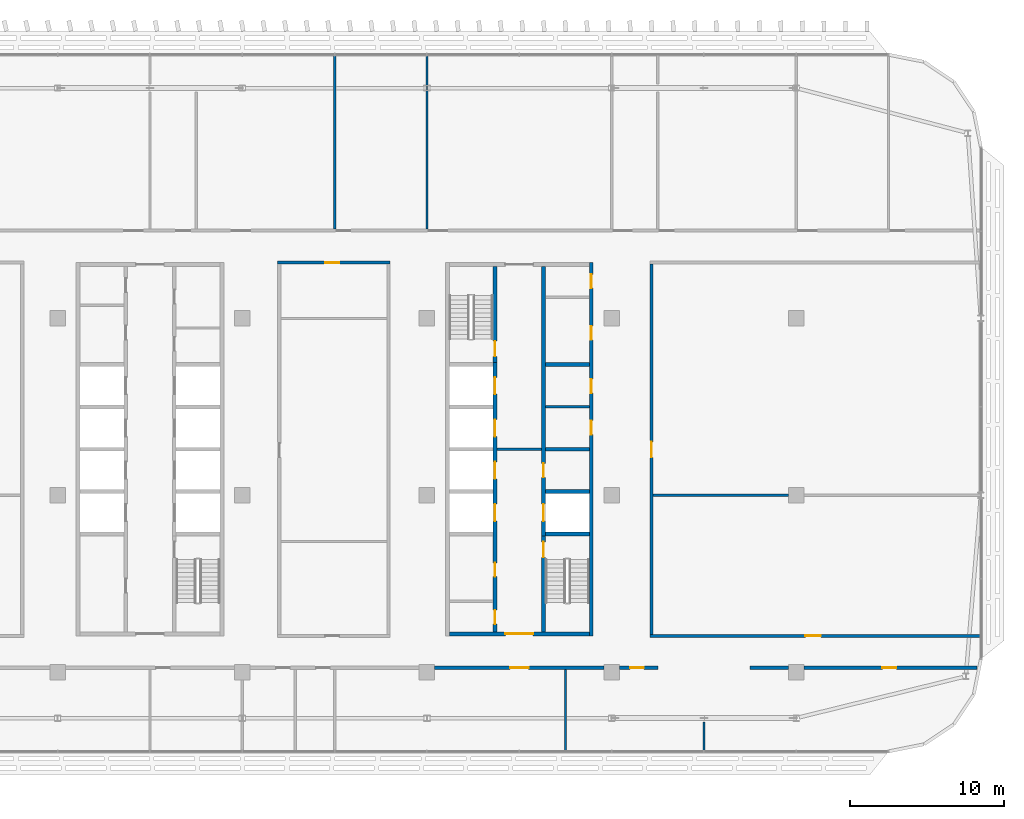
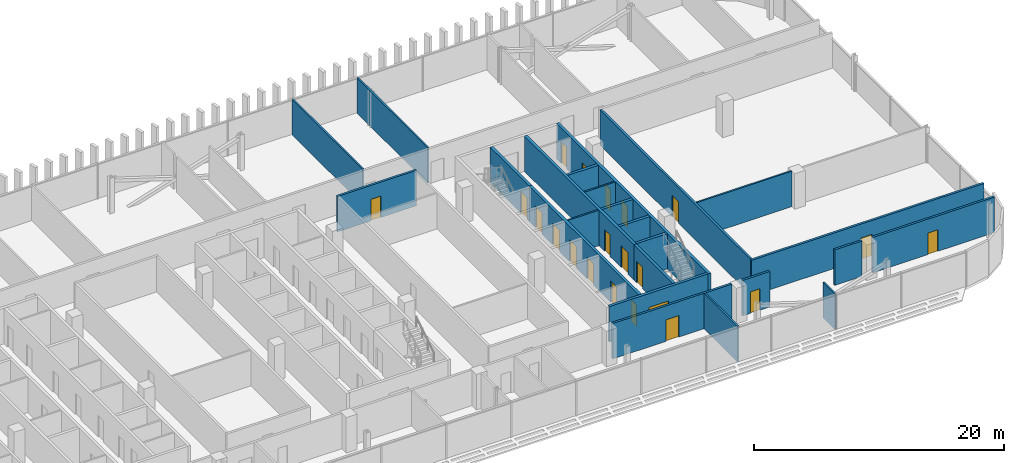
# One storey, part 21 of 32: 24 walls, 21 doors, 21 openings.
"""IFC4 building model written with IfcOpenShell, lengths in metres."""

from ifc_helpers import new_model, si_unit, direction, frame, frame_2d, origin, place, context, subcontext, project, spatial, rectangle, extrude, material, layer, layer_set, type_object, element, fill, save


model = new_model("IFC4")

# Units and contexts
model_context = context("Model", 3, precision=1e-05, world=origin(), true_north=direction((0.0, 1.0)))
body_context = subcontext(model_context, "Body", "Model", "MODEL_VIEW")
ifc_project = project(units=[si_unit("LENGTHUNIT", "METRE"), si_unit("AREAUNIT", "SQUARE_METRE"), si_unit("VOLUMEUNIT", "CUBIC_METRE"), si_unit("PLANEANGLEUNIT", "RADIAN"), si_unit("MASSUNIT", "GRAM", prefix="KILO")], contexts=[model_context])

# Site, building, storey
site_placement = place(None, origin())
site = spatial("IfcSite", under=ifc_project, at=site_placement, CompositionType="ELEMENT")
building_placement = place(site_placement, origin())
building = spatial("IfcBuilding", under=site, at=building_placement, Name="Mahtab Terrace Research Tower", CompositionType="ELEMENT")
storey_placement = place(building_placement, frame((0.0, 0.0, 232.39990234375)))
storey = spatial("IfcBuildingStorey", under=building, at=storey_placement, Name="L56", CompositionType="ELEMENT", Elevation=232.39990234375)

# Walls
ifc_material_1 = material(Name="Gypsum board partition")
ifc_layer_1 = layer(ifc_material_1, 0.14990234375)
ifc_layer_set_1 = layer_set([ifc_layer_1], Name="Core partition 150")
wall_type_1 = type_object("IfcWallType", Name="Core partition 150", PredefinedType="PARTITIONING", material=ifc_layer_set_1)
wall_1_placement = place(storey_placement, frame((22.550048828125, 3.0, 0.0), z_axis=(0.0, 0.0, 1.0), x_axis=(1.0, 0.0, 0.0)))
element("IfcWall", 1, at=wall_1_placement, inside=storey, type_object=wall_type_1, Name="Core wall C ffl", PredefinedType="PARTITIONING", context=body_context, shape_type="SweptSolid", body=[
    extrude(rectangle(XDim=2.89990234375, YDim=0.14990234375, at=frame_2d((1.449951171875, 0.0))), origin(), (0.0, 0.0, 1.0), 3.460205078125),
])
wall_2_placement = place(storey_placement, frame((25.699951171875, 5.75, 0.0), z_axis=(0.0, 0.0, 1.0), x_axis=(1.0, 0.0, 0.0)))
element("IfcWall", 2, at=wall_2_placement, inside=storey, type_object=wall_type_1, Name="Core wall C pEL275", PredefinedType="PARTITIONING", context=body_context, shape_type="SweptSolid", body=[
    extrude(rectangle(XDim=2.85009765625, YDim=0.14990234375, at=frame_2d((1.425048828125, 0.0))), origin(), (0.0, 0.0, 1.0), 3.460205078125),
])

# Wall, openings, doors
ifc_material_2 = material(Name="Concrete C70/85", Category="concrete")
ifc_layer_2 = layer(ifc_material_2, 0.25)
ifc_layer_set_2 = layer_set([ifc_layer_2], Name="Core wall 250")
wall_type_2 = type_object("IfcWallType", Name="Core wall 250", PredefinedType="SOLIDWALL", material=ifc_layer_set_2)
wall_3_placement = place(storey_placement, frame((28.675048828125, -9.125, 0.0), z_axis=(0.0, 0.0, 1.0), x_axis=(0.0, 1.0, 0.0)))
wall_3 = element("IfcWall", 3, at=wall_3_placement, inside=storey, type_object=wall_type_2, Name="Core wall C outerE", PredefinedType="SOLIDWALL", context=body_context, shape_type="SweptSolid", body=[
    extrude(rectangle(XDim=24.25, YDim=0.25, at=frame_2d((12.125, 0.0))), origin(), (0.0, 0.0, 1.0), 3.460205078125),
])
opening_1_placement = place(wall_3_placement, frame((13.074951171875, 0.0, 0.0)))
opening_1 = element("IfcOpeningElement", 4, at=opening_1_placement, cuts=wall_3, Name="Opening C-R2", PredefinedType="OPENING", context=body_context, shape_type="SweptSolid", body=[
    extrude(rectangle(XDim=0.89990234375, YDim=2.10009765625, at=frame_2d((0.449951171875, 1.050048828125))), frame((0.0, 0.135009765625, 0.0), z_axis=(0.0, -1.0, 0.0), x_axis=(1.0, 0.0, 0.0)), (0.0, 0.0, 1.0), 0.27001953125),
])
opening_2_placement = place(wall_3_placement, frame((15.77490234375, 0.0, 0.0)))
opening_2 = element("IfcOpeningElement", 5, at=opening_2_placement, cuts=wall_3, Name="Opening C-R3", PredefinedType="OPENING", context=body_context, shape_type="SweptSolid", body=[
    extrude(rectangle(XDim=0.89990234375, YDim=2.10009765625, at=frame_2d((0.449951171875, 1.050048828125))), frame((0.0, 0.135009765625, 0.0), z_axis=(0.0, -1.0, 0.0), x_axis=(1.0, 0.0, 0.0)), (0.0, 0.0, 1.0), 0.27001953125),
])
opening_3_placement = place(wall_3_placement, frame((19.22509765625, 0.0, 0.0)))
opening_3 = element("IfcOpeningElement", 6, at=opening_3_placement, cuts=wall_3, Name="Opening C-R6", PredefinedType="OPENING", context=body_context, shape_type="SweptSolid", body=[
    extrude(rectangle(XDim=0.89990234375, YDim=2.10009765625, at=frame_2d((0.449951171875, 1.050048828125))), frame((0.0, 0.135009765625, 0.0), z_axis=(0.0, -1.0, 0.0), x_axis=(1.0, 0.0, 0.0)), (0.0, 0.0, 1.0), 0.27001953125),
])
opening_4_placement = place(wall_3_placement, frame((22.58740234375, 0.0, 0.0)))
opening_4 = element("IfcOpeningElement", 7, at=opening_4_placement, cuts=wall_3, Name="Opening C-R7", PredefinedType="OPENING", context=body_context, shape_type="SweptSolid", body=[
    extrude(rectangle(XDim=0.89990234375, YDim=2.10009765625, at=frame_2d((0.449951171875, 1.050048828125))), frame((0.0, 0.135009765625, 0.0), z_axis=(0.0, -1.0, 0.0), x_axis=(1.0, 0.0, 0.0)), (0.0, 0.0, 1.0), 0.27001953125),
])
ifc_material_3 = material(Name="Steel fire door", Category="steel")
door_type_1 = type_object("IfcDoorType", Name="Room door 900x2100 1 HR", OperationType="NOTDEFINED", PredefinedType="DOOR", material=ifc_material_3)
door_1_placement = place(opening_1_placement, origin())
door_1 = element("IfcDoor", 8, at=door_1_placement, inside=storey, type_object=door_type_1, Name="Document store door", OperationType="SINGLE_SWING_RIGHT", OverallHeight=2.10009765625, OverallWidth=0.89990234375, PredefinedType="DOOR", context=body_context, shape_type="SweptSolid", body=[
    extrude(rectangle(XDim=0.89990234375, YDim=2.10009765625, at=frame_2d((0.449951171875, 1.050048828125))), frame((0.0, 0.02490234375, 0.0), z_axis=(0.0, -1.0, 0.0), x_axis=(1.0, 0.0, 0.0)), (0.0, 0.0, 1.0), 0.050048828125),
])
fill(opening_1, door_1)
door_2_placement = place(opening_2_placement, origin())
door_2 = element("IfcDoor", 9, at=door_2_placement, inside=storey, type_object=door_type_1, Name="IT equipment room door", OperationType="SINGLE_SWING_LEFT", OverallHeight=2.10009765625, OverallWidth=0.89990234375, PredefinedType="DOOR", context=body_context, shape_type="SweptSolid", body=[
    extrude(rectangle(XDim=0.89990234375, YDim=2.10009765625, at=frame_2d((0.449951171875, 1.050048828125))), frame((0.0, 0.02490234375, 0.0), z_axis=(0.0, -1.0, 0.0), x_axis=(1.0, 0.0, 0.0)), (0.0, 0.0, 1.0), 0.050048828125),
])
fill(opening_2, door_2)
door_3_placement = place(opening_3_placement, origin())
door_3 = element("IfcDoor", 10, at=door_3_placement, inside=storey, type_object=door_type_1, Name="IT equipment room door", OperationType="SINGLE_SWING_RIGHT", OverallHeight=2.10009765625, OverallWidth=0.89990234375, PredefinedType="DOOR", context=body_context, shape_type="SweptSolid", body=[
    extrude(rectangle(XDim=0.89990234375, YDim=2.10009765625, at=frame_2d((0.449951171875, 1.050048828125))), frame((0.0, 0.02490234375, 0.0), z_axis=(0.0, -1.0, 0.0), x_axis=(1.0, 0.0, 0.0)), (0.0, 0.0, 1.0), 0.050048828125),
])
fill(opening_3, door_3)
door_4_placement = place(opening_4_placement, origin())
door_4 = element("IfcDoor", 11, at=door_4_placement, inside=storey, type_object=door_type_1, Name="Electrical riser room door", OperationType="SINGLE_SWING_LEFT", OverallHeight=2.10009765625, OverallWidth=0.89990234375, PredefinedType="DOOR", context=body_context, shape_type="SweptSolid", body=[
    extrude(rectangle(XDim=0.89990234375, YDim=2.10009765625, at=frame_2d((0.449951171875, 1.050048828125))), frame((0.0, 0.02490234375, 0.0), z_axis=(0.0, -1.0, 0.0), x_axis=(1.0, 0.0, 0.0)), (0.0, 0.0, 1.0), 0.050048828125),
])
fill(opening_4, door_4)

# Wall, opening, door
wall_4_placement = place(storey_placement, frame((28.550048828125, -9.0, 0.0), z_axis=(0.0, 0.0, 1.0), x_axis=(-1.0, 0.0, 0.0)))
wall_4 = element("IfcWall", 12, at=wall_4_placement, inside=storey, type_object=wall_type_2, Name="Core wall C endS", PredefinedType="SOLIDWALL", context=body_context, shape_type="SweptSolid", body=[
    extrude(rectangle(XDim=9.10009765625, YDim=0.25, at=frame_2d((4.550048828125, 0.0))), origin(), (0.0, 0.0, 1.0), 3.460205078125),
])
opening_5_placement = place(wall_4_placement, frame((3.64990234375, 0.0, 0.0)))
opening_5 = element("IfcOpeningElement", 13, at=opening_5_placement, cuts=wall_4, Name="Opening C-S1", PredefinedType="OPENING", context=body_context, shape_type="SweptSolid", body=[
    extrude(rectangle(XDim=1.800048828125, YDim=2.10009765625, at=frame_2d((0.89990234375, 1.050048828125))), frame((0.0, 0.135009765625, 0.0), z_axis=(0.0, -1.0, 0.0), x_axis=(1.0, 0.0, 0.0)), (0.0, 0.0, 1.0), 0.27001953125),
])
door_type_2 = type_object("IfcDoorType", Name="Lobby double door 1800x2100 1 HR", OperationType="DOUBLE_DOOR_SINGLE_SWING", PredefinedType="DOOR", material=ifc_material_3)
door_5_placement = place(opening_5_placement, origin())
door_5 = element("IfcDoor", 14, at=door_5_placement, inside=storey, type_object=door_type_2, Name="Core entrance door C S", OperationType="DOUBLE_DOOR_SINGLE_SWING", OverallHeight=2.10009765625, OverallWidth=1.800048828125, PredefinedType="DOOR", context=body_context, shape_type="SweptSolid", body=[
    extrude(rectangle(XDim=1.800048828125, YDim=2.10009765625, at=frame_2d((0.89990234375, 1.050048828125))), frame((0.0, 0.02490234375, 0.0), z_axis=(0.0, -1.0, 0.0), x_axis=(1.0, 0.0, 0.0)), (0.0, 0.0, 1.0), 0.050048828125),
])
fill(opening_5, door_5)

# Wall, openings, doors
wall_5_placement = place(storey_placement, frame((22.425048828125, -8.875, 0.0), z_axis=(0.0, 0.0, 1.0), x_axis=(0.0, 1.0, 0.0)))
wall_5 = element("IfcWall", 15, at=wall_5_placement, inside=storey, type_object=wall_type_2, Name="Core wall C innerWSL", PredefinedType="SOLIDWALL", context=body_context, shape_type="SweptSolid", body=[
    extrude(rectangle(XDim=17.5, YDim=0.25, at=frame_2d((8.75, 0.0))), origin(), (0.0, 0.0, 1.0), 3.460205078125),
])
opening_6_placement = place(wall_5_placement, frame((7.199951171875, 0.0, 0.0)))
opening_6 = element("IfcOpeningElement", 16, at=opening_6_placement, cuts=wall_5, Name="Opening LD17-L56", PredefinedType="OPENING", context=body_context, shape_type="SweptSolid", body=[
    extrude(rectangle(XDim=1.10009765625, YDim=2.10009765625, at=frame_2d((0.550048828125, 1.050048828125))), frame((0.0, 0.135009765625, 0.0), z_axis=(0.0, -1.0, 0.0), x_axis=(1.0, 0.0, 0.0)), (0.0, 0.0, 1.0), 0.27001953125),
])
opening_7_placement = place(wall_5_placement, frame((9.949951171875, 0.0, 0.0)))
opening_7 = element("IfcOpeningElement", 17, at=opening_7_placement, cuts=wall_5, Name="Opening LD18-L56", PredefinedType="OPENING", context=body_context, shape_type="SweptSolid", body=[
    extrude(rectangle(XDim=1.10009765625, YDim=2.10009765625, at=frame_2d((0.550048828125, 1.050048828125))), frame((0.0, 0.135009765625, 0.0), z_axis=(0.0, -1.0, 0.0), x_axis=(1.0, 0.0, 0.0)), (0.0, 0.0, 1.0), 0.27001953125),
])
opening_8_placement = place(wall_5_placement, frame((12.699951171875, 0.0, 0.0)))
opening_8 = element("IfcOpeningElement", 18, at=opening_8_placement, cuts=wall_5, Name="Opening LD19-L56", PredefinedType="OPENING", context=body_context, shape_type="SweptSolid", body=[
    extrude(rectangle(XDim=1.10009765625, YDim=2.10009765625, at=frame_2d((0.550048828125, 1.050048828125))), frame((0.0, 0.135009765625, 0.0), z_axis=(0.0, -1.0, 0.0), x_axis=(1.0, 0.0, 0.0)), (0.0, 0.0, 1.0), 0.27001953125),
])
opening_9_placement = place(wall_5_placement, frame((15.449951171875, 0.0, 0.0)))
opening_9 = element("IfcOpeningElement", 19, at=opening_9_placement, cuts=wall_5, Name="Opening LD20-L56", PredefinedType="OPENING", context=body_context, shape_type="SweptSolid", body=[
    extrude(rectangle(XDim=1.10009765625, YDim=2.10009765625, at=frame_2d((0.550048828125, 1.050048828125))), frame((0.0, 0.135009765625, 0.0), z_axis=(0.0, -1.0, 0.0), x_axis=(1.0, 0.0, 0.0)), (0.0, 0.0, 1.0), 0.27001953125),
])
opening_10_placement = place(wall_5_placement, frame((0.512451171875, 0.0, 0.0)))
opening_10 = element("IfcOpeningElement", 20, at=opening_10_placement, cuts=wall_5, Name="Opening C-R4", PredefinedType="OPENING", context=body_context, shape_type="SweptSolid", body=[
    extrude(rectangle(XDim=0.89990234375, YDim=2.10009765625, at=frame_2d((0.449951171875, 1.050048828125))), frame((0.0, 0.135009765625, 0.0), z_axis=(0.0, -1.0, 0.0), x_axis=(1.0, 0.0, 0.0)), (0.0, 0.0, 1.0), 0.27001953125),
])
opening_11_placement = place(wall_5_placement, frame((3.58740234375, 0.0, 0.0)))
opening_11 = element("IfcOpeningElement", 21, at=opening_11_placement, cuts=wall_5, Name="Opening C-R5", PredefinedType="OPENING", context=body_context, shape_type="SweptSolid", body=[
    extrude(rectangle(XDim=0.89990234375, YDim=2.10009765625, at=frame_2d((0.449951171875, 1.050048828125))), frame((0.0, 0.135009765625, 0.0), z_axis=(0.0, -1.0, 0.0), x_axis=(1.0, 0.0, 0.0)), (0.0, 0.0, 1.0), 0.27001953125),
])
ifc_material_4 = material(Name="Stainless steel AISI 304", Category="steel")
door_type_3 = type_object("IfcDoorType", Name="Landing door 1100x2100", OperationType="DOUBLE_DOOR_SLIDING", PredefinedType="DOOR", material=ifc_material_4)
door_6_placement = place(opening_6_placement, origin())
door_6 = element("IfcDoor", 22, at=door_6_placement, inside=storey, type_object=door_type_3, Name="Landing door SV1 L56", OperationType="DOUBLE_DOOR_SLIDING", OverallHeight=2.10009765625, OverallWidth=1.10009765625, PredefinedType="DOOR", context=body_context, shape_type="SweptSolid", body=[
    extrude(rectangle(XDim=1.10009765625, YDim=2.10009765625, at=frame_2d((0.550048828125, 1.050048828125))), frame((0.0, 0.02490234375, 0.0), z_axis=(0.0, -1.0, 0.0), x_axis=(1.0, 0.0, 0.0)), (0.0, 0.0, 1.0), 0.050048828125),
])
fill(opening_6, door_6)
door_7_placement = place(opening_7_placement, origin())
door_7 = element("IfcDoor", 23, at=door_7_placement, inside=storey, type_object=door_type_3, Name="Landing door SV2 L56", OperationType="DOUBLE_DOOR_SLIDING", OverallHeight=2.10009765625, OverallWidth=1.10009765625, PredefinedType="DOOR", context=body_context, shape_type="SweptSolid", body=[
    extrude(rectangle(XDim=1.10009765625, YDim=2.10009765625, at=frame_2d((0.550048828125, 1.050048828125))), frame((0.0, 0.02490234375, 0.0), z_axis=(0.0, -1.0, 0.0), x_axis=(1.0, 0.0, 0.0)), (0.0, 0.0, 1.0), 0.050048828125),
])
fill(opening_7, door_7)
door_8_placement = place(opening_8_placement, origin())
door_8 = element("IfcDoor", 24, at=door_8_placement, inside=storey, type_object=door_type_3, Name="Landing door FF1 L56", OperationType="DOUBLE_DOOR_SLIDING", OverallHeight=2.10009765625, OverallWidth=1.10009765625, PredefinedType="DOOR", context=body_context, shape_type="SweptSolid", body=[
    extrude(rectangle(XDim=1.10009765625, YDim=2.10009765625, at=frame_2d((0.550048828125, 1.050048828125))), frame((0.0, 0.02490234375, 0.0), z_axis=(0.0, -1.0, 0.0), x_axis=(1.0, 0.0, 0.0)), (0.0, 0.0, 1.0), 0.050048828125),
])
fill(opening_8, door_8)
door_9_placement = place(opening_9_placement, origin())
door_9 = element("IfcDoor", 25, at=door_9_placement, inside=storey, type_object=door_type_3, Name="Landing door FF2 L56", OperationType="DOUBLE_DOOR_SLIDING", OverallHeight=2.10009765625, OverallWidth=1.10009765625, PredefinedType="DOOR", context=body_context, shape_type="SweptSolid", body=[
    extrude(rectangle(XDim=1.10009765625, YDim=2.10009765625, at=frame_2d((0.550048828125, 1.050048828125))), frame((0.0, 0.02490234375, 0.0), z_axis=(0.0, -1.0, 0.0), x_axis=(1.0, 0.0, 0.0)), (0.0, 0.0, 1.0), 0.050048828125),
])
fill(opening_9, door_9)
door_10_placement = place(opening_10_placement, origin())
door_10 = element("IfcDoor", 26, at=door_10_placement, inside=storey, type_object=door_type_1, Name="Accessible WC door", OperationType="SINGLE_SWING_RIGHT", OverallHeight=2.10009765625, OverallWidth=0.89990234375, PredefinedType="DOOR", context=body_context, shape_type="SweptSolid", body=[
    extrude(rectangle(XDim=0.89990234375, YDim=2.10009765625, at=frame_2d((0.449951171875, 1.050048828125))), frame((0.0, 0.02490234375, 0.0), z_axis=(0.0, -1.0, 0.0), x_axis=(1.0, 0.0, 0.0)), (0.0, 0.0, 1.0), 0.050048828125),
])
fill(opening_10, door_10)
door_11_placement = place(opening_11_placement, origin())
door_11 = element("IfcDoor", 27, at=door_11_placement, inside=storey, type_object=door_type_1, Name="WC block door", OperationType="SINGLE_SWING_LEFT", OverallHeight=2.10009765625, OverallWidth=0.89990234375, PredefinedType="DOOR", context=body_context, shape_type="SweptSolid", body=[
    extrude(rectangle(XDim=0.89990234375, YDim=2.10009765625, at=frame_2d((0.449951171875, 1.050048828125))), frame((0.0, 0.02490234375, 0.0), z_axis=(0.0, -1.0, 0.0), x_axis=(1.0, 0.0, 0.0)), (0.0, 0.0, 1.0), 0.050048828125),
])
fill(opening_11, door_11)

# Wall, opening, door
wall_6_placement = place(storey_placement, frame((22.425048828125, 14.875, 0.0), z_axis=(0.0, 0.0, 1.0), x_axis=(0.0, -1.0, 0.0)))
wall_6 = element("IfcWall", 28, at=wall_6_placement, inside=storey, type_object=wall_type_2, Name="Core wall C innerWN", PredefinedType="SOLIDWALL", context=body_context, shape_type="SweptSolid", body=[
    extrude(rectangle(XDim=6.25, YDim=0.25, at=frame_2d((3.125, 0.0))), origin(), (0.0, 0.0, 1.0), 3.460205078125),
])
opening_12_placement = place(wall_6_placement, frame((4.85009765625, 0.0, 0.0)))
opening_12 = element("IfcOpeningElement", 29, at=opening_12_placement, cuts=wall_6, Name="Opening C-ST3", PredefinedType="OPENING", context=body_context, shape_type="SweptSolid", body=[
    extrude(rectangle(XDim=1.0, YDim=2.10009765625, at=frame_2d((0.5, 1.050048828125))), frame((0.0, 0.135009765625, 0.0), z_axis=(0.0, -1.0, 0.0), x_axis=(1.0, 0.0, 0.0)), (0.0, 0.0, 1.0), 0.27001953125),
])
door_type_4 = type_object("IfcDoorType", Name="Stair door 1000x2100 1.5 HR", OperationType="NOTDEFINED", PredefinedType="DOOR", material=ifc_material_3)
door_12_placement = place(opening_12_placement, origin())
door_12 = element("IfcDoor", 30, at=door_12_placement, inside=storey, type_object=door_type_4, Name="Stair door ST3 L56", OperationType="SINGLE_SWING_RIGHT", OverallHeight=2.10009765625, OverallWidth=1.0, PredefinedType="DOOR", context=body_context, shape_type="SweptSolid", body=[
    extrude(rectangle(XDim=1.0, YDim=2.10009765625, at=frame_2d((0.5, 1.050048828125))), frame((0.0, 0.02490234375, 0.0), z_axis=(0.0, -1.0, 0.0), x_axis=(1.0, 0.0, 0.0)), (0.0, 0.0, 1.0), 0.050048828125),
])
fill(opening_12, door_12)

wall_7_placement = place(storey_placement, frame((25.574951171875, -8.875, 0.0), z_axis=(0.0, 0.0, 1.0), x_axis=(0.0, 1.0, 0.0)))
wall_7 = element("IfcWall", 31, at=wall_7_placement, inside=storey, type_object=wall_type_2, Name="Core wall C innerES", PredefinedType="SOLIDWALL", context=body_context, shape_type="SweptSolid", body=[
    extrude(rectangle(XDim=6.25, YDim=0.25, at=frame_2d((3.125, 0.0))), origin(), (0.0, 0.0, 1.0), 3.460205078125),
])
opening_13_placement = place(wall_7_placement, frame((4.85009765625, 0.0, 0.0)))
opening_13 = element("IfcOpeningElement", 32, at=opening_13_placement, cuts=wall_7, Name="Opening C-ST4", PredefinedType="OPENING", context=body_context, shape_type="SweptSolid", body=[
    extrude(rectangle(XDim=1.0, YDim=2.10009765625, at=frame_2d((0.5, 1.050048828125))), frame((0.0, 0.135009765625, 0.0), z_axis=(0.0, -1.0, 0.0), x_axis=(1.0, 0.0, 0.0)), (0.0, 0.0, 1.0), 0.27001953125),
])
door_13_placement = place(opening_13_placement, origin())
door_13 = element("IfcDoor", 33, at=door_13_placement, inside=storey, type_object=door_type_4, Name="Stair door ST4 L56", OperationType="SINGLE_SWING_LEFT", OverallHeight=2.10009765625, OverallWidth=1.0, PredefinedType="DOOR", context=body_context, shape_type="SweptSolid", body=[
    extrude(rectangle(XDim=1.0, YDim=2.10009765625, at=frame_2d((0.5, 1.050048828125))), frame((0.0, 0.02490234375, 0.0), z_axis=(0.0, -1.0, 0.0), x_axis=(1.0, 0.0, 0.0)), (0.0, 0.0, 1.0), 0.050048828125),
])
fill(opening_13, door_13)

# Wall, openings, doors
wall_8_placement = place(storey_placement, frame((25.574951171875, 14.875, 0.0), z_axis=(0.0, 0.0, 1.0), x_axis=(0.0, -1.0, 0.0)))
wall_8 = element("IfcWall", 34, at=wall_8_placement, inside=storey, type_object=wall_type_2, Name="Core wall C innerELN", PredefinedType="SOLIDWALL", context=body_context, shape_type="SweptSolid", body=[
    extrude(rectangle(XDim=17.5, YDim=0.25, at=frame_2d((8.75, 0.0))), origin(), (0.0, 0.0, 1.0), 3.460205078125),
])
opening_14_placement = place(wall_8_placement, frame((15.449951171875, 0.0, 0.0)))
opening_14 = element("IfcOpeningElement", 35, at=opening_14_placement, cuts=wall_8, Name="Opening LD21-L56", PredefinedType="OPENING", context=body_context, shape_type="SweptSolid", body=[
    extrude(rectangle(XDim=1.10009765625, YDim=2.10009765625, at=frame_2d((0.550048828125, 1.050048828125))), frame((0.0, 0.135009765625, 0.0), z_axis=(0.0, -1.0, 0.0), x_axis=(1.0, 0.0, 0.0)), (0.0, 0.0, 1.0), 0.27001953125),
])
opening_15_placement = place(wall_8_placement, frame((12.800048828125, 0.0, 0.0)))
opening_15 = element("IfcOpeningElement", 36, at=opening_15_placement, cuts=wall_8, Name="Opening C-R1", PredefinedType="OPENING", context=body_context, shape_type="SweptSolid", body=[
    extrude(rectangle(XDim=0.89990234375, YDim=2.10009765625, at=frame_2d((0.449951171875, 1.050048828125))), frame((0.0, 0.135009765625, 0.0), z_axis=(0.0, -1.0, 0.0), x_axis=(1.0, 0.0, 0.0)), (0.0, 0.0, 1.0), 0.27001953125),
])
door_14_placement = place(opening_14_placement, origin())
door_14 = element("IfcDoor", 37, at=door_14_placement, inside=storey, type_object=door_type_3, Name="Landing door SV3 L56", OperationType="DOUBLE_DOOR_SLIDING", OverallHeight=2.10009765625, OverallWidth=1.10009765625, PredefinedType="DOOR", context=body_context, shape_type="SweptSolid", body=[
    extrude(rectangle(XDim=1.10009765625, YDim=2.10009765625, at=frame_2d((0.550048828125, 1.050048828125))), frame((0.0, 0.02490234375, 0.0), z_axis=(0.0, -1.0, 0.0), x_axis=(1.0, 0.0, 0.0)), (0.0, 0.0, 1.0), 0.050048828125),
])
fill(opening_14, door_14)
door_15_placement = place(opening_15_placement, origin())
door_15 = element("IfcDoor", 38, at=door_15_placement, inside=storey, type_object=door_type_1, Name="Plant room door", OperationType="SINGLE_SWING_LEFT", OverallHeight=2.10009765625, OverallWidth=0.89990234375, PredefinedType="DOOR", context=body_context, shape_type="SweptSolid", body=[
    extrude(rectangle(XDim=0.89990234375, YDim=2.10009765625, at=frame_2d((0.449951171875, 1.050048828125))), frame((0.0, 0.02490234375, 0.0), z_axis=(0.0, -1.0, 0.0), x_axis=(1.0, 0.0, 0.0)), (0.0, 0.0, 1.0), 0.050048828125),
])
fill(opening_15, door_15)

# Walls
for number, where, z_axis, x_axis, name in (
    (39, (25.699951171875, -2.5, 0.0), (0.0, 0.0, 1.0), (1.0, 0.0, 0.0), "Core wall C divE0"),
    (40, (25.699951171875, 0.25, 0.0), (0.0, 0.0, 1.0), (1.0, 0.0, 0.0), "Core wall C divE1"),
    (41, (25.699951171875, 3.0, 0.0), (0.0, 0.0, 1.0), (1.0, 0.0, 0.0), "Core wall C divE2"),
    (42, (25.699951171875, 8.5, 0.0), (0.0, 0.0, 1.0), (1.0, 0.0, 0.0), "Core wall C divE4"),
):
    element("IfcWall", number, at=place(storey_placement, frame(where, z_axis=z_axis, x_axis=x_axis)), inside=storey, type_object=wall_type_2, Name=name, PredefinedType="SOLIDWALL", context=body_context, shape_type="SweptSolid", body=[
        extrude(rectangle(XDim=2.85009765625, YDim=0.25, at=frame_2d((1.425048828125, 0.0))), origin(), (0.0, 0.0, 1.0), 3.460205078125),
    ])

# Wall, opening, door
ifc_material_5 = material(Name="Gypsum board corridor wall on steel studs", Category="steel")
ifc_layer_3 = layer(ifc_material_5, 0.199951171875)
ifc_layer_set_3 = layer_set([ifc_layer_3], Name="WALL CORRIDOR 200")
wall_type_3 = type_object("IfcWallType", Name="WALL CORRIDOR 200", PredefinedType="PARTITIONING", material=ifc_layer_set_3)
wall_9_placement = place(storey_placement, frame((18.5, -11.199951171875, 0.0), z_axis=(0.0, 0.0, 1.0), x_axis=(1.0, 0.0, 0.0)))
wall_9 = element("IfcWall", 43, at=wall_9_placement, inside=storey, type_object=wall_type_3, Name="L56-W006", PredefinedType="PARTITIONING", context=body_context, shape_type="SweptSolid", body=[
    extrude(rectangle(XDim=11.0, YDim=0.199951171875, at=frame_2d((5.5, 0.0))), origin(), (0.0, 0.0, 1.0), 3.460205078125),
])
opening_16_placement = place(wall_9_placement, frame((4.89990234375, 0.0, 0.0)))
opening_16 = element("IfcOpeningElement", 44, at=opening_16_placement, cuts=wall_9, Name="Opening L56-109", PredefinedType="OPENING", context=body_context, shape_type="SweptSolid", body=[
    extrude(rectangle(XDim=1.199951171875, YDim=2.10009765625, at=frame_2d((0.60009765625, 1.050048828125))), frame((0.0, 0.10986328125, 0.0), z_axis=(0.0, -1.0, 0.0), x_axis=(1.0, 0.0, 0.0)), (0.0, 0.0, 1.0), 0.219970703125),
])
ifc_material_6 = material(Name="Timber door leaf in steel frame", Category="steel")
door_type_5 = type_object("IfcDoorType", Name="DOOR 1200X2100 FD30S", OperationType="SINGLE_SWING_LEFT", PredefinedType="DOOR", material=ifc_material_6)
door_16_placement = place(opening_16_placement, origin())
door_16 = element("IfcDoor", 45, at=door_16_placement, inside=storey, type_object=door_type_5, Name="Door L56-109", OperationType="SINGLE_SWING_LEFT", OverallHeight=2.10009765625, OverallWidth=1.199951171875, PredefinedType="DOOR", context=body_context, shape_type="SweptSolid", body=[
    extrude(rectangle(XDim=1.199951171875, YDim=2.10009765625, at=frame_2d((0.60009765625, 1.050048828125))), frame((0.0, 0.02490234375, 0.0), z_axis=(0.0, -1.0, 0.0), x_axis=(1.0, 0.0, 0.0)), (0.0, 0.0, 1.0), 0.050048828125),
])
fill(opening_16, door_16)

wall_10_placement = place(storey_placement, frame((30.5, -11.199951171875, 0.0), z_axis=(0.0, 0.0, 1.0), x_axis=(1.0, 0.0, 0.0)))
wall_10 = element("IfcWall", 46, at=wall_10_placement, inside=storey, type_object=wall_type_3, Name="L56-W007", PredefinedType="PARTITIONING", context=body_context, shape_type="SweptSolid", body=[
    extrude(rectangle(XDim=2.5, YDim=0.199951171875, at=frame_2d((1.25, 0.0))), origin(), (0.0, 0.0, 1.0), 3.460205078125),
])
opening_17_placement = place(wall_10_placement, frame((0.699951171875, 0.0, 0.0)))
opening_17 = element("IfcOpeningElement", 47, at=opening_17_placement, cuts=wall_10, Name="Opening L56-110", PredefinedType="OPENING", context=body_context, shape_type="SweptSolid", body=[
    extrude(rectangle(XDim=0.89990234375, YDim=2.10009765625, at=frame_2d((0.449951171875, 1.050048828125))), frame((0.0, 0.10986328125, 0.0), z_axis=(0.0, -1.0, 0.0), x_axis=(1.0, 0.0, 0.0)), (0.0, 0.0, 1.0), 0.219970703125),
])
door_type_6 = type_object("IfcDoorType", Name="DOOR 0900X2100 FD30S", OperationType="SINGLE_SWING_LEFT", PredefinedType="DOOR", material=ifc_material_6)
door_17_placement = place(opening_17_placement, origin())
door_17 = element("IfcDoor", 48, at=door_17_placement, inside=storey, type_object=door_type_6, Name="Door L56-110", OperationType="SINGLE_SWING_RIGHT", OverallHeight=2.10009765625, OverallWidth=0.89990234375, PredefinedType="DOOR", context=body_context, shape_type="SweptSolid", body=[
    extrude(rectangle(XDim=0.89990234375, YDim=2.10009765625, at=frame_2d((0.449951171875, 1.050048828125))), frame((0.0, 0.02490234375, 0.0), z_axis=(0.0, -1.0, 0.0), x_axis=(1.0, 0.0, 0.0)), (0.0, 0.0, 1.0), 0.050048828125),
])
fill(opening_17, door_17)

# Wall
wall_11_placement = place(storey_placement, frame((39.0, -11.199951171875, 0.0), z_axis=(0.0, 0.0, 1.0), x_axis=(1.0, 0.0, 0.0)))
element("IfcWall", 49, at=wall_11_placement, inside=storey, type_object=wall_type_3, Name="L56-W008", PredefinedType="PARTITIONING", context=body_context, shape_type="SweptSolid", body=[
    extrude(rectangle(XDim=2.5, YDim=0.199951171875, at=frame_2d((1.25, 0.0))), origin(), (0.0, 0.0, 1.0), 3.460205078125),
])

# Wall, opening, door
wall_12_placement = place(storey_placement, frame((42.5, -11.199951171875, 0.0), z_axis=(0.0, 0.0, 1.0), x_axis=(1.0, 0.0, 0.0)))
wall_12 = element("IfcWall", 50, at=wall_12_placement, inside=storey, type_object=wall_type_3, Name="L56-W009", PredefinedType="PARTITIONING", context=body_context, shape_type="SweptSolid", body=[
    extrude(rectangle(XDim=11.2353515625, YDim=0.199951171875, at=frame_2d((5.61767578125, 0.0))), origin(), (0.0, 0.0, 1.0), 3.460205078125),
])
opening_18_placement = place(wall_12_placement, frame((5.10009765625, 0.0, 0.0)))
opening_18 = element("IfcOpeningElement", 51, at=opening_18_placement, cuts=wall_12, Name="Opening L56-111", PredefinedType="OPENING", context=body_context, shape_type="SweptSolid", body=[
    extrude(rectangle(XDim=0.89990234375, YDim=2.10009765625, at=frame_2d((0.449951171875, 1.050048828125))), frame((0.0, 0.10986328125, 0.0), z_axis=(0.0, -1.0, 0.0), x_axis=(1.0, 0.0, 0.0)), (0.0, 0.0, 1.0), 0.219970703125),
])
door_18_placement = place(opening_18_placement, origin())
door_18 = element("IfcDoor", 52, at=door_18_placement, inside=storey, type_object=door_type_6, Name="Door L56-111", OperationType="SINGLE_SWING_RIGHT", OverallHeight=2.10009765625, OverallWidth=0.89990234375, PredefinedType="DOOR", context=body_context, shape_type="SweptSolid", body=[
    extrude(rectangle(XDim=0.89990234375, YDim=2.10009765625, at=frame_2d((0.449951171875, 1.050048828125))), frame((0.0, 0.02490234375, 0.0), z_axis=(0.0, -1.0, 0.0), x_axis=(1.0, 0.0, 0.0)), (0.0, 0.0, 1.0), 0.050048828125),
])
fill(opening_18, door_18)

wall_13_placement = place(storey_placement, frame((32.5, -9.125, 0.0), z_axis=(0.0, 0.0, 1.0), x_axis=(1.0, 0.0, 0.0)))
wall_13 = element("IfcWall", 53, at=wall_13_placement, inside=storey, type_object=wall_type_3, Name="L56-W013", PredefinedType="PARTITIONING", context=body_context, shape_type="SweptSolid", body=[
    extrude(rectangle(XDim=21.47509765625, YDim=0.199951171875, at=frame_2d((10.737548828125, 0.0))), origin(), (0.0, 0.0, 1.0), 3.460205078125),
])
opening_19_placement = place(wall_13_placement, frame((10.10009765625, 0.0, 0.0)))
opening_19 = element("IfcOpeningElement", 54, at=opening_19_placement, cuts=wall_13, Name="Opening L56-115", PredefinedType="OPENING", context=body_context, shape_type="SweptSolid", body=[
    extrude(rectangle(XDim=1.0, YDim=2.10009765625, at=frame_2d((0.5, 1.050048828125))), frame((0.0, 0.10986328125, 0.0), z_axis=(0.0, -1.0, 0.0), x_axis=(1.0, 0.0, 0.0)), (0.0, 0.0, 1.0), 0.219970703125),
])
door_type_7 = type_object("IfcDoorType", Name="DOOR 1000X2100 FD30S", OperationType="SINGLE_SWING_LEFT", PredefinedType="DOOR", material=ifc_material_6)
door_19_placement = place(opening_19_placement, origin())
door_19 = element("IfcDoor", 55, at=door_19_placement, inside=storey, type_object=door_type_7, Name="Door L56-115", OperationType="SINGLE_SWING_LEFT", OverallHeight=2.10009765625, OverallWidth=1.0, PredefinedType="DOOR", context=body_context, shape_type="SweptSolid", body=[
    extrude(rectangle(XDim=1.0, YDim=2.10009765625, at=frame_2d((0.5, 1.050048828125))), frame((0.0, 0.02490234375, 0.0), z_axis=(0.0, -1.0, 0.0), x_axis=(1.0, 0.0, 0.0)), (0.0, 0.0, 1.0), 0.050048828125),
])
fill(opening_19, door_19)

wall_14_placement = place(storey_placement, frame((8.300048828125, 15.125, 0.0), z_axis=(0.0, 0.0, 1.0), x_axis=(1.0, 0.0, 0.0)))
wall_14 = element("IfcWall", 56, at=wall_14_placement, inside=storey, type_object=wall_type_3, Name="L56-W023", PredefinedType="PARTITIONING", context=body_context, shape_type="SweptSolid", body=[
    extrude(rectangle(XDim=7.300048828125, YDim=0.199951171875, at=frame_2d((3.64990234375, 0.0))), origin(), (0.0, 0.0, 1.0), 3.460205078125),
])
opening_20_placement = place(wall_14_placement, frame((3.10009765625, 0.0, 0.0)))
opening_20 = element("IfcOpeningElement", 57, at=opening_20_placement, cuts=wall_14, Name="Opening L56-121", PredefinedType="OPENING", context=body_context, shape_type="SweptSolid", body=[
    extrude(rectangle(XDim=0.89990234375, YDim=2.10009765625, at=frame_2d((0.449951171875, 1.050048828125))), frame((0.0, 0.10986328125, 0.0), z_axis=(0.0, -1.0, 0.0), x_axis=(1.0, 0.0, 0.0)), (0.0, 0.0, 1.0), 0.219970703125),
])
door_20_placement = place(opening_20_placement, origin())
door_20 = element("IfcDoor", 58, at=door_20_placement, inside=storey, type_object=door_type_6, Name="Door L56-121", OperationType="SINGLE_SWING_RIGHT", OverallHeight=2.10009765625, OverallWidth=0.89990234375, PredefinedType="DOOR", context=body_context, shape_type="SweptSolid", body=[
    extrude(rectangle(XDim=0.89990234375, YDim=2.10009765625, at=frame_2d((0.449951171875, 1.050048828125))), frame((0.0, 0.02490234375, 0.0), z_axis=(0.0, -1.0, 0.0), x_axis=(1.0, 0.0, 0.0)), (0.0, 0.0, 1.0), 0.050048828125),
])
fill(opening_20, door_20)

wall_15_placement = place(storey_placement, frame((32.60009765625, -9.02490234375, 0.0), z_axis=(0.0, 0.0, 1.0), x_axis=(0.0, 1.0, 0.0)))
wall_15 = element("IfcWall", 59, at=wall_15_placement, inside=storey, type_object=wall_type_3, Name="L56-W052", PredefinedType="PARTITIONING", context=body_context, shape_type="SweptSolid", body=[
    extrude(rectangle(XDim=24.0498046875, YDim=0.199951171875, at=frame_2d((12.02490234375, 0.0))), origin(), (0.0, 0.0, 1.0), 3.460205078125),
])
opening_21_placement = place(wall_15_placement, frame((11.5, 0.0, 0.0)))
opening_21 = element("IfcOpeningElement", 60, at=opening_21_placement, cuts=wall_15, Name="Opening L56-119", PredefinedType="OPENING", context=body_context, shape_type="SweptSolid", body=[
    extrude(rectangle(XDim=1.0, YDim=2.10009765625, at=frame_2d((0.5, 1.050048828125))), frame((0.0, 0.10986328125, 0.0), z_axis=(0.0, -1.0, 0.0), x_axis=(1.0, 0.0, 0.0)), (0.0, 0.0, 1.0), 0.219970703125),
])
door_21_placement = place(opening_21_placement, origin())
door_21 = element("IfcDoor", 61, at=door_21_placement, inside=storey, type_object=door_type_7, Name="Door L56-119", OperationType="SINGLE_SWING_RIGHT", OverallHeight=2.10009765625, OverallWidth=1.0, PredefinedType="DOOR", context=body_context, shape_type="SweptSolid", body=[
    extrude(rectangle(XDim=1.0, YDim=2.10009765625, at=frame_2d((0.5, 1.050048828125))), frame((0.0, 0.02490234375, 0.0), z_axis=(0.0, -1.0, 0.0), x_axis=(1.0, 0.0, 0.0)), (0.0, 0.0, 1.0), 0.050048828125),
])
fill(opening_21, door_21)

# Walls
ifc_material_7 = material(Name="Gypsum board partition on steel studs", Category="steel")
ifc_layer_4 = layer(ifc_material_7, 0.14990234375)
ifc_layer_set_4 = layer_set([ifc_layer_4], Name="WALL PARTITION 150")
wall_type_4 = type_object("IfcWallType", Name="WALL PARTITION 150", PredefinedType="PARTITIONING", material=ifc_layer_set_4)
wall_16_placement = place(storey_placement, frame((32.699951171875, 0.0, 0.0), z_axis=(0.0, 0.0, 1.0), x_axis=(1.0, 0.0, 0.0)))
element("IfcWall", 62, at=wall_16_placement, inside=storey, type_object=wall_type_4, Name="L56-W017", PredefinedType="PARTITIONING", context=body_context, shape_type="SweptSolid", body=[
    extrude(rectangle(XDim=8.800048828125, YDim=0.14990234375, at=frame_2d((4.39990234375, 0.0))), origin(), (0.0, 0.0, 1.0), 3.460205078125),
])
for number, where, z_axis, x_axis, name in (
    (63, (12.0, 17.300048828125, 0.0), (0.0, 0.0, 1.0), (0.0, 1.0, 0.0), "L56-W047"),
    (64, (18.0, 17.300048828125, 0.0), (0.0, 0.0, 1.0), (0.0, 1.0, 0.0), "L56-W049"),
):
    element("IfcWall", number, at=place(storey_placement, frame(where, z_axis=z_axis, x_axis=x_axis)), inside=storey, type_object=wall_type_4, Name=name, PredefinedType="PARTITIONING", context=body_context, shape_type="SweptSolid", body=[
        extrude(rectangle(XDim=11.31396484375, YDim=0.14990234375, at=frame_2d((5.656982421875, 0.0))), origin(), (0.0, 0.0, 1.0), 3.460205078125),
    ])
wall_17_placement = place(storey_placement, frame((27.0, -16.614013671875, 0.0), z_axis=(0.0, 0.0, 1.0), x_axis=(0.0, 1.0, 0.0)))
element("IfcWall", 65, at=wall_17_placement, inside=storey, type_object=wall_type_4, Name="L56-W050", PredefinedType="PARTITIONING", context=body_context, shape_type="SweptSolid", body=[
    extrude(rectangle(XDim=5.31396484375, YDim=0.14990234375, at=frame_2d((2.656982421875, 0.0))), origin(), (0.0, 0.0, 1.0), 3.460205078125),
])
wall_18_placement = place(storey_placement, frame((36.0, -16.614013671875, 0.0), z_axis=(0.0, 0.0, 1.0), x_axis=(0.0, 1.0, 0.0)))
element("IfcWall", 66, at=wall_18_placement, inside=storey, type_object=wall_type_4, Name="L56-W055", PredefinedType="PARTITIONING", context=body_context, shape_type="SweptSolid", body=[
    extrude(rectangle(XDim=1.888671875, YDim=0.14990234375, at=frame_2d((0.9443359375, 0.0))), origin(), (0.0, 0.0, 1.0), 3.460205078125),
])

save(model, "model.ifc")
